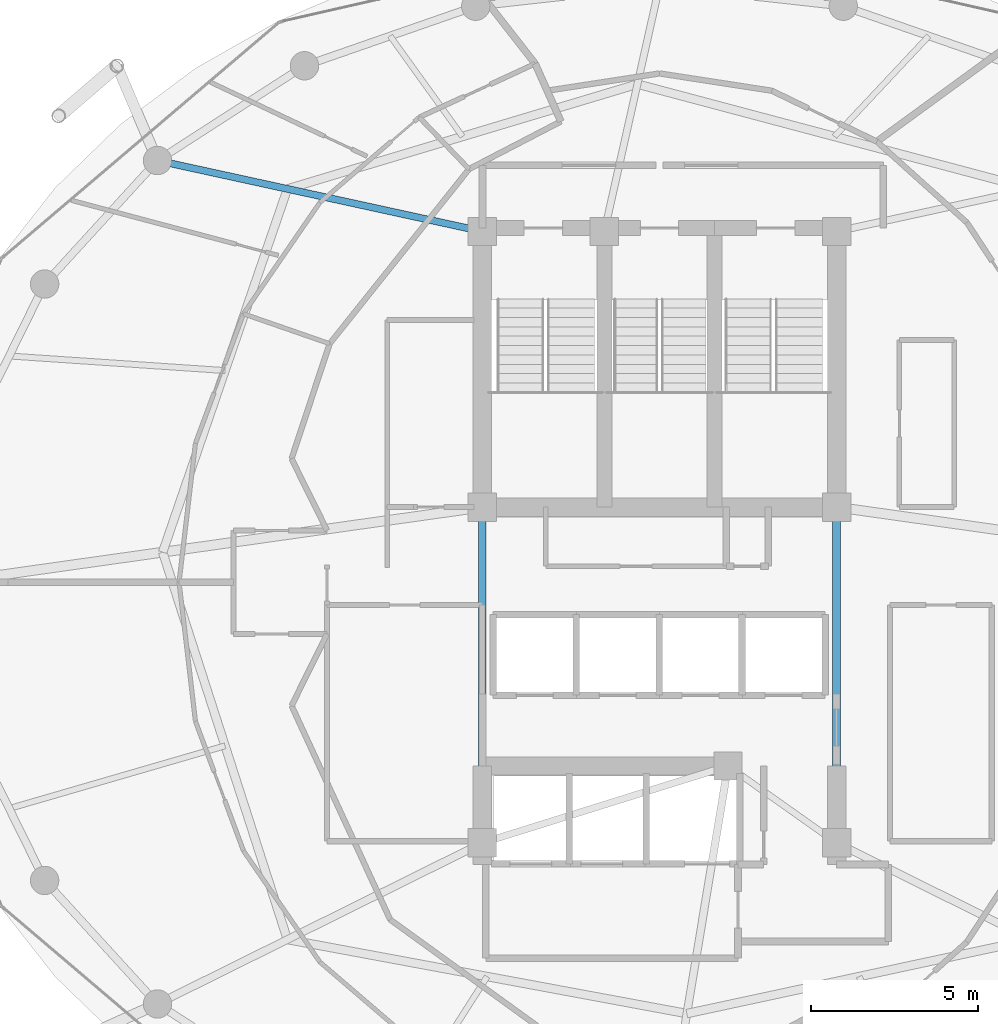
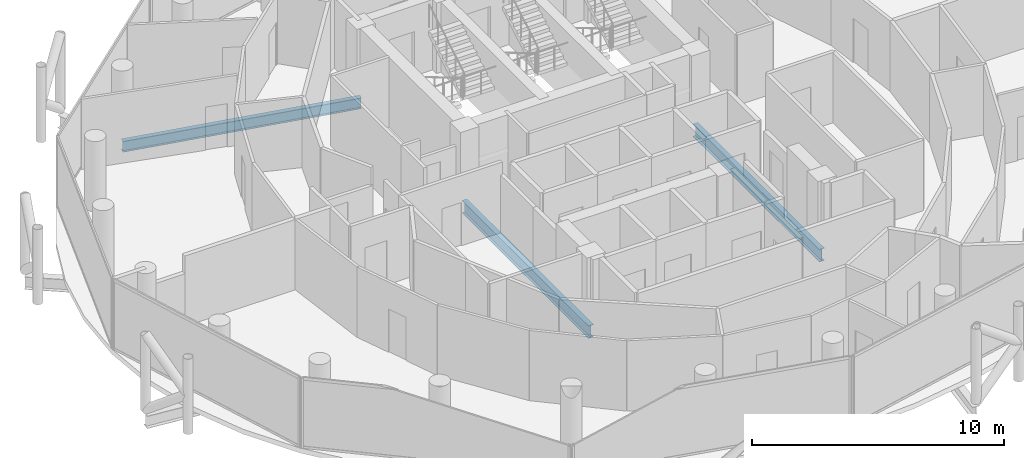
# One storey, part 10 of 27: 3 beams.
"""IFC4 building model written with IfcOpenShell, lengths in metres."""

from ifc_helpers import new_model, si_unit, direction, frame, origin, origin_2d, place, context, subcontext, project, spatial, i_section, extrude, material, material_profile, profile_set, type_object, element, save


model = new_model("IFC4")

# Units and contexts
model_context = context("Model", 3, precision=1e-05, world=origin(), true_north=direction((0.0, 1.0)))
body_context = subcontext(model_context, "Body", "Model", "MODEL_VIEW")
ifc_project = project(units=[si_unit("LENGTHUNIT", "METRE"), si_unit("AREAUNIT", "SQUARE_METRE"), si_unit("VOLUMEUNIT", "CUBIC_METRE"), si_unit("PLANEANGLEUNIT", "RADIAN"), si_unit("MASSUNIT", "GRAM", prefix="KILO")], contexts=[model_context])

# Site, building, storey
site_placement = place(None, origin())
site = spatial("IfcSite", under=ifc_project, at=site_placement, CompositionType="ELEMENT")
building_placement = place(site_placement, origin())
building = spatial("IfcBuilding", under=site, at=building_placement, Name="Nuhasar Tower", CompositionType="ELEMENT")
storey_placement = place(building_placement, frame((0.0, 0.0, 226.39990234375)))
storey = spatial("IfcBuildingStorey", under=building, at=storey_placement, Name="L55", CompositionType="ELEMENT", Elevation=226.39990234375)

# Beams
ifc_material = material(Name="Steel S355", Category="steel")
ifc_material_profile_1 = material_profile(ifc_material, i_section(OverallWidth=0.208984375, OverallDepth=0.528076171875, WebThickness=0.009521484375, FlangeThickness=0.01318359375, at=origin_2d()), Name="W21X55")
ifc_profile_set_1 = profile_set([ifc_material_profile_1], Name="Steel S355")
beam_type_1 = type_object("IfcBeamType", Name="BM-RAD-W21X55", PredefinedType="BEAM", material=ifc_profile_set_1)
beam_placement = place(storey_placement, frame((33.699951171875, 37.300048828125, -0.50390625), z_axis=(-0.977014275474, 0.213173885644, 0.0), x_axis=(-0.213173885644, -0.977014275474, 0.0)))
element("IfcBeam", 1, at=beam_placement, inside=storey, type_object=beam_type_1, Name="L55 Radial Floor Girder 07", PredefinedType="BEAM", context=body_context, shape_type="SweptSolid", body=[
    extrude(i_section(OverallWidth=0.208984375, OverallDepth=0.528076171875, WebThickness=0.009521484375, FlangeThickness=0.01318359375, at=origin_2d()), origin(), (0.0, 0.0, 1.0), 9.95458984375),
])
ifc_material_profile_2 = material_profile(ifc_material, i_section(OverallWidth=0.22900390625, OverallDepth=0.612060546875, WebThickness=0.011962890625, FlangeThickness=0.01953125, at=origin_2d()), Name="W24X84")
ifc_profile_set_2 = profile_set([ifc_material_profile_2], Name="Steel S355")
beam_type_2 = type_object("IfcBeamType", Name="BM-RAD-W24X84", PredefinedType="BEAM", material=ifc_profile_set_2)
for number, where, z_axis, x_axis, name in (
    (2, (44.300048828125, 19.0, -0.5458984375), (0.0, 1.0, 0.0), (-1.0, 0.0, 0.0), "L55 Core Ring Girder 3"),
    (3, (33.699951171875, 29.050048828125, -0.5458984375), (0.0, -1.0, 0.0), (1.0, 0.0, 0.0), "L55 Core Ring Girder 8"),
):
    element("IfcBeam", number, at=place(storey_placement, frame(where, z_axis=z_axis, x_axis=x_axis)), inside=storey, type_object=beam_type_2, Name=name, PredefinedType="BEAM", context=body_context, shape_type="SweptSolid", body=[
        extrude(i_section(OverallWidth=0.22900390625, OverallDepth=0.612060546875, WebThickness=0.011962890625, FlangeThickness=0.01953125, at=origin_2d()), origin(), (0.0, 0.0, 1.0), 10.050048828125),
    ])

save(model, "model.ifc")
